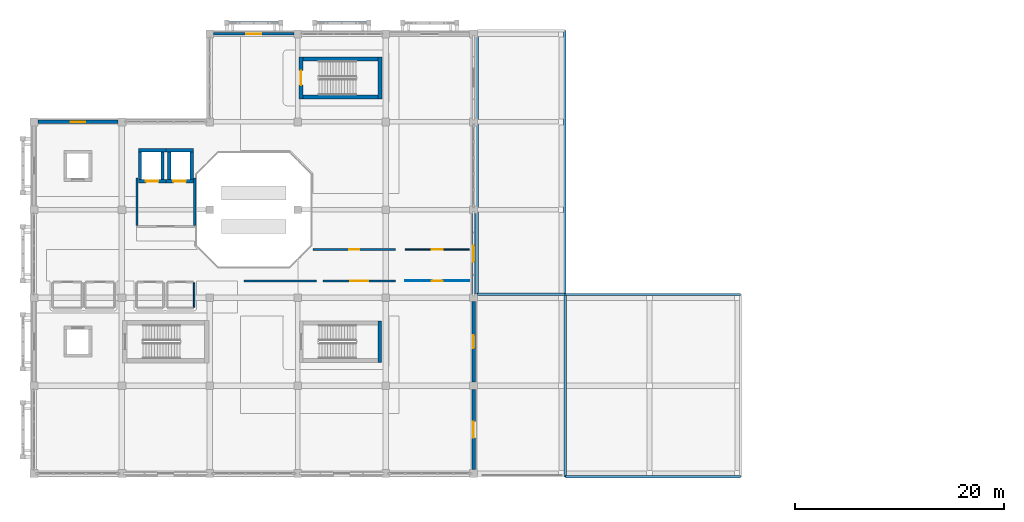
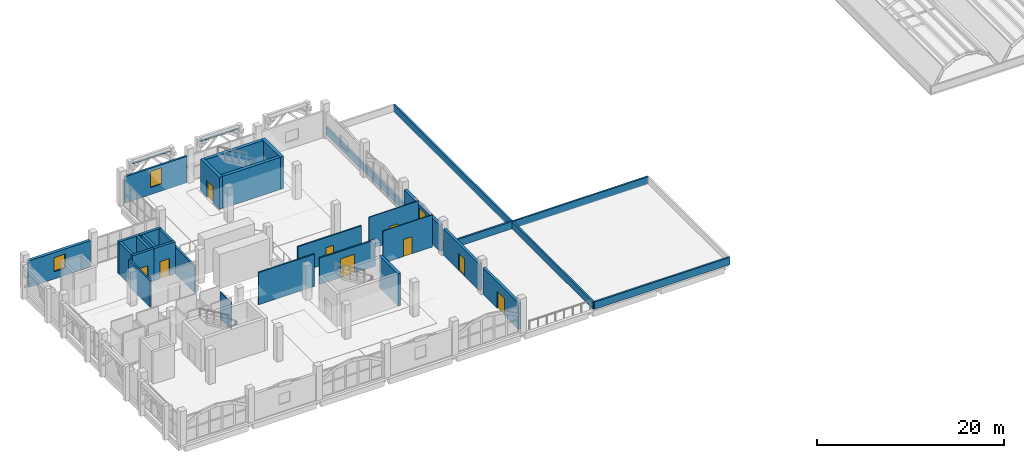
# One storey, part 27 of 34: 34 walls, 9 doors, 3 windows, 12 openings.
"""IFC4 building model written with IfcOpenShell, lengths in metres."""

from ifc_helpers import new_model, si_unit, direction, frame, frame_2d, origin, place, context, subcontext, project, spatial, rectangle, extrude, material, layer, layer_set, type_object, element, fill, save


model = new_model("IFC4")

# Units and contexts
model_context = context("Model", 3, precision=1e-05, world=origin(), true_north=direction((0.0, 1.0)))
body_context = subcontext(model_context, "Body", "Model", "MODEL_VIEW")
ifc_project = project(units=[si_unit("LENGTHUNIT", "METRE"), si_unit("AREAUNIT", "SQUARE_METRE"), si_unit("VOLUMEUNIT", "CUBIC_METRE"), si_unit("PLANEANGLEUNIT", "RADIAN"), si_unit("MASSUNIT", "GRAM", prefix="KILO")], contexts=[model_context])

# Site, building, storey
site_placement = place(None, origin())
site = spatial("IfcSite", under=ifc_project, at=site_placement, CompositionType="ELEMENT")
building_placement = place(site_placement, origin())
building = spatial("IfcBuilding", under=site, at=building_placement, Name="Xazarin Passage Department Store", CompositionType="ELEMENT")
storey_placement = place(building_placement, frame((0.0, 0.0, 18.89990234375)))
storey = spatial("IfcBuildingStorey", under=building, at=storey_placement, Name="L04", CompositionType="ELEMENT", Elevation=18.89990234375)

# Wall, opening, door
ifc_material_1 = material(Name="Buff Baku clay brick", Category="masonry")
ifc_layer_1 = layer(ifc_material_1, 0.169921875)
ifc_layer_set_1 = layer_set([ifc_layer_1], Name="Buff Baku clay brick")
wall_type_1 = type_object("IfcWallType", Name="ARC-W-CMP170", PredefinedType="PARTITIONING", material=ifc_layer_set_1)
wall_1_placement = place(storey_placement, frame((26.673583984375, 89.39990234375, 0.0), z_axis=(0.0, 0.0, 1.0), x_axis=(1.0, 0.0, 0.0)))
wall_1 = element("IfcWall", 1, at=wall_1_placement, inside=storey, type_object=wall_type_1, Name="L04 Caspian Carpet and Textile Salon Front Wall 0249", PredefinedType="PARTITIONING", context=body_context, shape_type="SweptSolid", body=[
    extrude(rectangle(XDim=7.8564453125, YDim=0.169921875, at=frame_2d((3.92822265625, 0.0))), origin(), (0.0, 0.0, 1.0), 3.4501953125),
])
opening_1_placement = place(wall_1_placement, frame((3.4482421875, 0.0, 0.0)))
opening_1 = element("IfcOpeningElement", 2, at=opening_1_placement, cuts=wall_1, Name="Opening ID11", PredefinedType="OPENING", context=body_context, shape_type="SweptSolid", body=[
    extrude(rectangle(XDim=0.9599609375, YDim=2.10009765625, at=frame_2d((0.47998046875, 1.050048828125))), frame((0.0, 0.094970703125, 0.0), z_axis=(0.0, -1.0, 0.0), x_axis=(1.0, 0.0, 0.0)), (0.0, 0.0, 1.0), 0.18994140625),
])
ifc_material_2 = material(Name="Timber acoustic leaf", Category="wood")
door_type_1 = type_object("IfcDoorType", Name="ARC-DR-ID11", OperationType="NOTDEFINED", PredefinedType="DOOR", material=ifc_material_2)
door_1_placement = place(opening_1_placement, origin())
door_1 = element("IfcDoor", 3, at=door_1_placement, inside=storey, type_object=door_type_1, Name="DR-INT-L04-0249", OperationType="SINGLE_SWING_LEFT", OverallHeight=2.10009765625, OverallWidth=0.9599609375, PredefinedType="DOOR", context=body_context, shape_type="SweptSolid", body=[
    extrude(rectangle(XDim=0.9599609375, YDim=2.10009765625, at=frame_2d((0.47998046875, 1.050048828125))), frame((0.0, 0.02490234375, 0.0), z_axis=(0.0, -1.0, 0.0), x_axis=(1.0, 0.0, 0.0)), (0.0, 0.0, 1.0), 0.050048828125),
])
fill(opening_1, door_1)

# Wall
ifc_layer_2 = layer(ifc_material_1, 0.18505859375)
ifc_layer_set_2 = layer_set([ifc_layer_2], Name="Buff Baku clay brick")
wall_type_2 = type_object("IfcWallType", Name="ARC-W-CMP185", PredefinedType="PARTITIONING", material=ifc_layer_set_2)
wall_2_placement = place(storey_placement, frame((20.070068359375, 86.39990234375, 0.0), z_axis=(0.0, 0.0, 1.0), x_axis=(1.0, 0.0, 0.0)))
element("IfcWall", 4, at=wall_2_placement, inside=storey, type_object=wall_type_2, Name="L04 Caspian Carpet and Textile Salon Front Wall 0247", PredefinedType="PARTITIONING", context=body_context, shape_type="SweptSolid", body=[
    extrude(rectangle(XDim=6.909912109375, YDim=0.18505859375, at=frame_2d((3.455078125, 0.0))), origin(), (0.0, 0.0, 1.0), 4.2001953125),
])

# Wall, opening, door
wall_3_placement = place(storey_placement, frame((27.6201171875, 86.39990234375, 0.0), z_axis=(0.0, 0.0, 1.0), x_axis=(1.0, 0.0, 0.0)))
wall_3 = element("IfcWall", 5, at=wall_3_placement, inside=storey, type_object=wall_type_2, Name="L04 Caspian Carpet and Textile Salon Front Wall 0248", PredefinedType="PARTITIONING", context=body_context, shape_type="SweptSolid", body=[
    extrude(rectangle(XDim=6.909912109375, YDim=0.18505859375, at=frame_2d((3.455078125, 0.0))), origin(), (0.0, 0.0, 1.0), 3.4501953125),
])
opening_2_placement = place(wall_3_placement, frame((2.594970703125, 0.0, 0.0)))
opening_2 = element("IfcOpeningElement", 6, at=opening_2_placement, cuts=wall_3, Name="Opening ID50", PredefinedType="OPENING", context=body_context, shape_type="SweptSolid", body=[
    extrude(rectangle(XDim=1.719970703125, YDim=2.4599609375, at=frame_2d((0.85986328125, 1.22998046875))), frame((0.0, 0.1025390625, 0.0), z_axis=(0.0, -1.0, 0.0), x_axis=(1.0, 0.0, 0.0)), (0.0, 0.0, 1.0), 0.205078125),
])
ifc_material_3 = material(Name="Bronze anodised aluminium", Category="aluminium")
door_type_2 = type_object("IfcDoorType", Name="ARC-DR-ID50", OperationType="NOTDEFINED", PredefinedType="DOOR", material=ifc_material_3)
door_2_placement = place(opening_2_placement, origin())
door_2 = element("IfcDoor", 7, at=door_2_placement, inside=storey, type_object=door_type_2, Name="DR-INT-L04-0248", OperationType="DOUBLE_DOOR_SINGLE_SWING", OverallHeight=2.4599609375, OverallWidth=1.719970703125, PredefinedType="DOOR", context=body_context, shape_type="SweptSolid", body=[
    extrude(rectangle(XDim=1.719970703125, YDim=2.4599609375, at=frame_2d((0.85986328125, 1.22998046875))), frame((0.0, 0.02490234375, 0.0), z_axis=(0.0, -1.0, 0.0), x_axis=(1.0, 0.0, 0.0)), (0.0, 0.0, 1.0), 0.050048828125),
])
fill(opening_2, door_2)

# Wall, opening, window
ifc_material_4 = material(Name="Precast concrete C40/50", Category="concrete")
ifc_layer_3 = layer(ifc_material_4, 0.239990234375)
ifc_layer_set_3 = layer_set([ifc_layer_3], Name="Precast concrete C40/50")
wall_type_3 = type_object("IfcWallType", Name="ARC-W-EXT240", PredefinedType="SOLIDWALL", material=ifc_layer_set_3)
wall_4_placement = place(storey_placement, frame((17.175048828125, 110.0, 0.0), z_axis=(0.0, 0.0, 1.0), x_axis=(1.0, 0.0, 0.0)))
wall_4 = element("IfcWall", 8, at=wall_4_placement, inside=storey, type_object=wall_type_3, Name="L04 V1 Exterior Wall 052", PredefinedType="SOLIDWALL", context=body_context, shape_type="SweptSolid", body=[
    extrude(rectangle(XDim=7.64990234375, YDim=0.239990234375, at=frame_2d((3.824951171875, 0.0))), origin(), (0.0, 0.0, 1.0), 3.4501953125),
])
opening_3_placement = place(wall_4_placement, frame((3.125, 0.0, 0.949951171875)))
opening_3 = element("IfcOpeningElement", 9, at=opening_3_placement, cuts=wall_4, Name="Opening W16", PredefinedType="OPENING", context=body_context, shape_type="SweptSolid", body=[
    extrude(rectangle(XDim=1.39990234375, YDim=2.10009765625, at=frame_2d((0.699951171875, 1.050048828125))), frame((0.0, 0.1298828125, 0.0), z_axis=(0.0, -1.0, 0.0), x_axis=(1.0, 0.0, 0.0)), (0.0, 0.0, 1.0), 0.260009765625),
])
ifc_material_5 = material(Name="Low-E laminated safety glass", Category="glass")
window_type_1 = type_object("IfcWindowType", Name="ARC-WIN-W16", PartitioningType="SINGLE_PANEL", PredefinedType="WINDOW", material=ifc_material_5)
window_1_placement = place(opening_3_placement, origin())
window_1 = element("IfcWindow", 10, at=window_1_placement, inside=storey, type_object=window_type_1, Name="L04 V1 Facade Window 0016", OverallHeight=2.10009765625, OverallWidth=1.39990234375, PartitioningType="SINGLE_PANEL", PredefinedType="WINDOW", context=body_context, shape_type="SweptSolid", body=[
    extrude(rectangle(XDim=1.39990234375, YDim=2.10009765625, at=frame_2d((0.699951171875, 1.050048828125))), frame((0.0, 0.030029296875, 0.0), z_axis=(0.0, -1.0, 0.0), x_axis=(1.0, 0.0, 0.0)), (0.0, 0.0, 1.0), 0.06005859375),
])
fill(opening_3, window_1)

# Wall, opening, door
ifc_layer_4 = layer(ifc_material_1, 0.320068359375)
ifc_layer_set_4 = layer_set([ifc_layer_4], Name="Buff Baku clay brick")
wall_type_4 = type_object("IfcWallType", Name="ARC-W-EXT320", PredefinedType="SOLIDWALL", material=ifc_layer_set_4)
wall_5_placement = place(storey_placement, frame((42.0, 68.375, 0.0), z_axis=(0.0, 0.0, 1.0), x_axis=(0.0, 1.0, 0.0)))
wall_5 = element("IfcWall", 11, at=wall_5_placement, inside=storey, type_object=wall_type_4, Name="L04 V1 Exterior Wall 056", PredefinedType="SOLIDWALL", context=body_context, shape_type="SweptSolid", body=[
    extrude(rectangle(XDim=7.64990234375, YDim=0.320068359375, at=frame_2d((3.824951171875, 0.0))), origin(), (0.0, 0.0, 1.0), 3.4501953125),
])
opening_4_placement = place(wall_5_placement, frame((3.050048828125, 0.0, 0.0)))
opening_4 = element("IfcOpeningElement", 12, at=opening_4_placement, cuts=wall_5, Name="Opening TD2", PredefinedType="OPENING", context=body_context, shape_type="SweptSolid", body=[
    extrude(rectangle(XDim=1.550048828125, YDim=2.25, at=frame_2d((0.77490234375, 1.125))), frame((0.0, 0.169921875, 0.0), z_axis=(0.0, -1.0, 0.0), x_axis=(1.0, 0.0, 0.0)), (0.0, 0.0, 1.0), 0.340087890625),
])
door_type_3 = type_object("IfcDoorType", Name="ARC-DR-TER155", OperationType="NOTDEFINED", PredefinedType="DOOR", material=ifc_material_3)
door_3_placement = place(opening_4_placement, origin())
door_3 = element("IfcDoor", 13, at=door_3_placement, inside=storey, type_object=door_type_3, Name="DR-TER-L04-008", OperationType="SINGLE_SWING_LEFT", OverallHeight=2.25, OverallWidth=1.550048828125, PredefinedType="DOOR", context=body_context, shape_type="SweptSolid", body=[
    extrude(rectangle(XDim=1.550048828125, YDim=2.25, at=frame_2d((0.77490234375, 1.125))), frame((0.0, 0.02490234375, 0.0), z_axis=(0.0, -1.0, 0.0), x_axis=(1.0, 0.0, 0.0)), (0.0, 0.0, 1.0), 0.050048828125),
])
fill(opening_4, door_3)

ifc_material_6 = material(Name="Absheron limestone cladding", Category="masonry")
ifc_layer_5 = layer(ifc_material_6, 0.340087890625)
ifc_layer_set_5 = layer_set([ifc_layer_5], Name="Absheron limestone cladding")
wall_type_5 = type_object("IfcWallType", Name="ARC-W-EXT340", PredefinedType="SOLIDWALL", material=ifc_layer_set_5)
wall_6_placement = place(storey_placement, frame((42.0, 76.77490234375, 0.0), z_axis=(0.0, 0.0, 1.0), x_axis=(0.0, 1.0, 0.0)))
wall_6 = element("IfcWall", 14, at=wall_6_placement, inside=storey, type_object=wall_type_5, Name="L04 V1 Exterior Wall 057", PredefinedType="SOLIDWALL", context=body_context, shape_type="SweptSolid", body=[
    extrude(rectangle(XDim=7.650146484375, YDim=0.340087890625, at=frame_2d((3.8251953125, 0.0))), origin(), (0.0, 0.0, 1.0), 3.4501953125),
])
opening_5_placement = place(wall_6_placement, frame((3.199951171875, 0.0, 0.0)))
opening_5 = element("IfcOpeningElement", 15, at=opening_5_placement, cuts=wall_6, Name="Opening TD3", PredefinedType="OPENING", context=body_context, shape_type="SweptSolid", body=[
    extrude(rectangle(XDim=1.25, YDim=2.199951171875, at=frame_2d((0.625, 1.10009765625))), frame((0.0, 0.179931640625, 0.0), z_axis=(0.0, -1.0, 0.0), x_axis=(1.0, 0.0, 0.0)), (0.0, 0.0, 1.0), 0.360107421875),
])
door_type_4 = type_object("IfcDoorType", Name="ARC-DR-TER125", OperationType="NOTDEFINED", PredefinedType="DOOR", material=ifc_material_3)
door_4_placement = place(opening_5_placement, origin())
door_4 = element("IfcDoor", 16, at=door_4_placement, inside=storey, type_object=door_type_4, Name="DR-TER-L04-009", OperationType="SINGLE_SWING_RIGHT", OverallHeight=2.199951171875, OverallWidth=1.25, PredefinedType="DOOR", context=body_context, shape_type="SweptSolid", body=[
    extrude(rectangle(XDim=1.25, YDim=2.199951171875, at=frame_2d((0.625, 1.10009765625))), frame((0.0, 0.02490234375, 0.0), z_axis=(0.0, -1.0, 0.0), x_axis=(1.0, 0.0, 0.0)), (0.0, 0.0, 1.0), 0.050048828125),
])
fill(opening_5, door_4)

# Wall, opening, window
ifc_layer_6 = layer(ifc_material_6, 0.360107421875)
ifc_layer_set_6 = layer_set([ifc_layer_6], Name="Absheron limestone cladding")
wall_type_6 = type_object("IfcWallType", Name="ARC-W-EXT360", PredefinedType="SOLIDWALL", material=ifc_layer_set_6)
wall_7_placement = place(storey_placement, frame((0.375, 101.60009765625, 0.0), z_axis=(0.0, 0.0, 1.0), x_axis=(1.0, 0.0, 0.0)))
wall_7 = element("IfcWall", 17, at=wall_7_placement, inside=storey, type_object=wall_type_6, Name="L04 V1 Exterior Wall 051", PredefinedType="SOLIDWALL", context=body_context, shape_type="SweptSolid", body=[
    extrude(rectangle(XDim=7.64990234375, YDim=0.360107421875, at=frame_2d((3.824951171875, 0.0))), origin(), (0.0, 0.0, 1.0), 3.4501953125),
])
opening_6_placement = place(wall_7_placement, frame((3.125, 0.0, 0.949951171875)))
opening_6 = element("IfcOpeningElement", 18, at=opening_6_placement, cuts=wall_7, Name="Opening W15", PredefinedType="OPENING", context=body_context, shape_type="SweptSolid", body=[
    extrude(rectangle(XDim=1.39990234375, YDim=1.85009765625, at=frame_2d((0.699951171875, 0.925048828125))), frame((0.0, 0.18994140625, 0.0), z_axis=(0.0, -1.0, 0.0), x_axis=(1.0, 0.0, 0.0)), (0.0, 0.0, 1.0), 0.380126953125),
])
window_type_2 = type_object("IfcWindowType", Name="ARC-WIN-W15", PartitioningType="SINGLE_PANEL", PredefinedType="WINDOW", material=ifc_material_5)
window_2_placement = place(opening_6_placement, origin())
window_2 = element("IfcWindow", 19, at=window_2_placement, inside=storey, type_object=window_type_2, Name="L04 V1 Facade Window 0015", OverallHeight=1.85009765625, OverallWidth=1.39990234375, PartitioningType="SINGLE_PANEL", PredefinedType="WINDOW", context=body_context, shape_type="SweptSolid", body=[
    extrude(rectangle(XDim=1.39990234375, YDim=1.85009765625, at=frame_2d((0.699951171875, 0.925048828125))), frame((0.0, 0.030029296875, 0.0), z_axis=(0.0, -1.0, 0.0), x_axis=(1.0, 0.0, 0.0)), (0.0, 0.0, 1.0), 0.06005859375),
])
fill(opening_6, window_2)

wall_8_placement = place(storey_placement, frame((42.0, 85.175048828125, 0.0), z_axis=(0.0, 0.0, 1.0), x_axis=(0.0, 1.0, 0.0)))
wall_8 = element("IfcWall", 20, at=wall_8_placement, inside=storey, type_object=wall_type_6, Name="L04 V1 Exterior Wall 058", PredefinedType="SOLIDWALL", context=body_context, shape_type="SweptSolid", body=[
    extrude(rectangle(XDim=7.64990234375, YDim=0.360107421875, at=frame_2d((3.824951171875, 0.0))), origin(), (0.0, 0.0, 1.0), 3.4501953125),
])
opening_7_placement = place(wall_8_placement, frame((3.050048828125, 0.0, 0.949951171875)))
opening_7 = element("IfcOpeningElement", 21, at=opening_7_placement, cuts=wall_8, Name="Opening W20", PredefinedType="OPENING", context=body_context, shape_type="SweptSolid", body=[
    extrude(rectangle(XDim=1.550048828125, YDim=2.10009765625, at=frame_2d((0.77490234375, 1.050048828125))), frame((0.0, 0.18994140625, 0.0), z_axis=(0.0, -1.0, 0.0), x_axis=(1.0, 0.0, 0.0)), (0.0, 0.0, 1.0), 0.380126953125),
])
window_type_3 = type_object("IfcWindowType", Name="ARC-WIN-W20", PartitioningType="SINGLE_PANEL", PredefinedType="WINDOW", material=ifc_material_5)
window_3_placement = place(opening_7_placement, origin())
window_3 = element("IfcWindow", 22, at=window_3_placement, inside=storey, type_object=window_type_3, Name="L04 V1 Facade Window 0020", OverallHeight=2.10009765625, OverallWidth=1.550048828125, PartitioningType="SINGLE_PANEL", PredefinedType="WINDOW", context=body_context, shape_type="SweptSolid", body=[
    extrude(rectangle(XDim=1.550048828125, YDim=2.10009765625, at=frame_2d((0.77490234375, 1.050048828125))), frame((0.0, 0.030029296875, 0.0), z_axis=(0.0, -1.0, 0.0), x_axis=(1.0, 0.0, 0.0)), (0.0, 0.0, 1.0), 0.06005859375),
])
fill(opening_7, window_3)

# Walls
ifc_material_7 = material(Name="Concrete C35/45", Category="concrete")
ifc_layer_7 = layer(ifc_material_7, 0.22509765625)
ifc_layer_set_7 = layer_set([ifc_layer_7], Name="Concrete C35/45")
wall_type_7 = type_object("IfcWallType", Name="ARC-W-FIR225", PredefinedType="PARTITIONING", material=ifc_layer_set_7)
for number, where, z_axis, x_axis, name in (
    (23, (9.85009765625, 91.7099609375, 0.0), (0.0, 0.0, 1.0), (0.0, 1.0, 0.0), "L04 Firefighting Lift Lobby West Wall 0017"),
    (24, (15.35009765625, 91.7099609375, 0.0), (0.0, 0.0, 1.0), (0.0, 1.0, 0.0), "L04 Firefighting Lift Lobby East Wall 0018"),
):
    element("IfcWall", number, at=place(storey_placement, frame(where, z_axis=z_axis, x_axis=x_axis)), inside=storey, type_object=wall_type_7, Name=name, PredefinedType="PARTITIONING", context=body_context, shape_type="SweptSolid", body=[
        extrude(rectangle(XDim=4.530029296875, YDim=0.22509765625, at=frame_2d((2.26513671875, 0.0))), origin(), (0.0, 0.0, 1.0), 3.5),
    ])
ifc_layer_8 = layer(ifc_material_4, 0.18994140625)
ifc_layer_set_8 = layer_set([ifc_layer_8], Name="Precast concrete C40/50")
wall_type_8 = type_object("IfcWallType", Name="ARC-W-PAR190", PredefinedType="PARAPET", material=ifc_layer_set_8)
wall_9_placement = place(storey_placement, frame((18.669921875, 111.050048828125, 3.880126953125), z_axis=(0.0, 0.0, 1.0), x_axis=(1.0, 0.0, 0.0)))
element("IfcWall", 25, at=wall_9_placement, inside=storey, type_object=wall_type_8, Name="L04 V1 Pierced-Arch Spandrel Lintel 0005", PredefinedType="PARAPET", context=body_context, shape_type="SweptSolid", body=[
    extrude(rectangle(XDim=4.66015625, YDim=0.18994140625, at=frame_2d((2.330078125, 0.0))), origin(), (0.0, 0.0, 1.0), 0.119873046875),
])
wall_10_placement = place(storey_placement, frame((27.070068359375, 111.050048828125, 3.880126953125), z_axis=(0.0, 0.0, 1.0), x_axis=(1.0, 0.0, 0.0)))
element("IfcWall", 26, at=wall_10_placement, inside=storey, type_object=wall_type_8, Name="L04 V1 Pierced-Arch Spandrel Lintel 0013", PredefinedType="PARAPET", context=body_context, shape_type="SweptSolid", body=[
    extrude(rectangle(XDim=4.659912109375, YDim=0.18994140625, at=frame_2d((2.330078125, 0.0))), origin(), (0.0, 0.0, 1.0), 0.119873046875),
])
ifc_layer_9 = layer(ifc_material_4, 0.2099609375)
ifc_layer_set_9 = layer_set([ifc_layer_9], Name="Precast concrete C40/50")
wall_type_9 = type_object("IfcWallType", Name="ARC-W-PAR210", PredefinedType="PARAPET", material=ifc_layer_set_9)
wall_11_placement = place(storey_placement, frame((67.5, 85.10009765625, 0.0), z_axis=(0.0, 0.0, 1.0), x_axis=(-1.0, 0.0, 0.0)))
element("IfcWall", 27, at=wall_11_placement, inside=storey, type_object=wall_type_9, Name="L04 Roof Parapet 018", PredefinedType="PARAPET", context=body_context, shape_type="SweptSolid", body=[
    extrude(rectangle(XDim=16.75, YDim=0.2099609375, at=frame_2d((8.375, 0.0))), origin(), (0.0, 0.0, 1.0), 0.9501953125),
])
wall_12_placement = place(storey_placement, frame((50.75, 85.10009765625, 0.0), z_axis=(0.0, 0.0, 1.0), x_axis=(0.0, -1.0, 0.0)))
element("IfcWall", 28, at=wall_12_placement, inside=storey, type_object=wall_type_9, Name="L04 Roof Parapet 019", PredefinedType="PARAPET", context=body_context, shape_type="SweptSolid", body=[
    extrude(rectangle(XDim=17.400146484375, YDim=0.2099609375, at=frame_2d((8.7001953125, 0.0))), origin(), (0.0, 0.0, 1.0), 0.9501953125),
])
wall_13_placement = place(storey_placement, frame((50.75, 67.699951171875, 0.0), z_axis=(0.0, 0.0, 1.0), x_axis=(1.0, 0.0, 0.0)))
element("IfcWall", 29, at=wall_13_placement, inside=storey, type_object=wall_type_9, Name="L04 Roof Parapet 020", PredefinedType="PARAPET", context=body_context, shape_type="SweptSolid", body=[
    extrude(rectangle(XDim=16.75, YDim=0.2099609375, at=frame_2d((8.375, 0.0))), origin(), (0.0, 0.0, 1.0), 0.9501953125),
])
ifc_layer_10 = layer(ifc_material_4, 0.22998046875)
ifc_layer_set_10 = layer_set([ifc_layer_10], Name="Precast concrete C40/50")
wall_type_10 = type_object("IfcWallType", Name="ARC-W-PAR230", PredefinedType="PARAPET", material=ifc_layer_set_10)
wall_14_placement = place(storey_placement, frame((42.35009765625, 110.300048828125, 0.0), z_axis=(0.0, 0.0, 1.0), x_axis=(0.0, -1.0, 0.0)))
element("IfcWall", 30, at=wall_14_placement, inside=storey, type_object=wall_type_10, Name="L04 Roof Parapet 021", PredefinedType="PARAPET", context=body_context, shape_type="SweptSolid", body=[
    extrude(rectangle(XDim=25.150146484375, YDim=0.22998046875, at=frame_2d((12.5751953125, 0.0))), origin(), (0.0, 0.0, 1.0), 0.9501953125),
])
wall_15_placement = place(storey_placement, frame((42.35009765625, 85.14990234375, 0.0), z_axis=(0.0, 0.0, 1.0), x_axis=(1.0, 0.0, 0.0)))
element("IfcWall", 31, at=wall_15_placement, inside=storey, type_object=wall_type_10, Name="L04 Roof Parapet 022", PredefinedType="PARAPET", context=body_context, shape_type="SweptSolid", body=[
    extrude(rectangle(XDim=8.349853515625, YDim=0.22998046875, at=frame_2d((4.1748046875, 0.0))), origin(), (0.0, 0.0, 1.0), 0.9501953125),
])
wall_16_placement = place(storey_placement, frame((50.699951171875, 85.14990234375, 0.0), z_axis=(0.0, 0.0, 1.0), x_axis=(0.0, 1.0, 0.0)))
element("IfcWall", 32, at=wall_16_placement, inside=storey, type_object=wall_type_10, Name="L04 Roof Parapet 023", PredefinedType="PARAPET", context=body_context, shape_type="SweptSolid", body=[
    extrude(rectangle(XDim=25.150146484375, YDim=0.22998046875, at=frame_2d((12.5751953125, 0.0))), origin(), (0.0, 0.0, 1.0), 0.9501953125),
])

# Wall, opening, door
ifc_material_8 = material(Name="Gypsum board acoustic partition")
ifc_layer_11 = layer(ifc_material_8, 0.094970703125)
ifc_layer_set_11 = layer_set([ifc_layer_11], Name="Gypsum board acoustic partition")
wall_type_11 = type_object("IfcWallType", Name="ARC-W-PRT095", PredefinedType="PARTITIONING", material=ifc_layer_set_11)
wall_17_placement = place(storey_placement, frame((35.469970703125, 86.39990234375, 0.0), z_axis=(0.0, 0.0, 1.0), x_axis=(1.0, 0.0, 0.0)))
wall_17 = element("IfcWall", 33, at=wall_17_placement, inside=storey, type_object=wall_type_11, Name="L04 Homeware Showroom Front Wall 0251", PredefinedType="PARTITIONING", context=body_context, shape_type="SweptSolid", body=[
    extrude(rectangle(XDim=6.110107421875, YDim=0.094970703125, at=frame_2d((3.05517578125, 0.0))), origin(), (0.0, 0.0, 1.0), 4.2001953125),
])
opening_8_placement = place(wall_17_placement, frame((2.534912109375, 0.0, 0.0)))
opening_8 = element("IfcOpeningElement", 34, at=opening_8_placement, cuts=wall_17, Name="Opening ID16", PredefinedType="OPENING", context=body_context, shape_type="SweptSolid", body=[
    extrude(rectangle(XDim=1.0400390625, YDim=2.219970703125, at=frame_2d((0.52001953125, 1.10986328125))), frame((0.0, 0.057373046875, 0.0), z_axis=(0.0, -1.0, 0.0), x_axis=(1.0, 0.0, 0.0)), (0.0, 0.0, 1.0), 0.114990234375),
])
door_type_5 = type_object("IfcDoorType", Name="ARC-DR-ID16", OperationType="NOTDEFINED", PredefinedType="DOOR", material=ifc_material_2)
door_5_placement = place(opening_8_placement, origin())
door_5 = element("IfcDoor", 35, at=door_5_placement, inside=storey, type_object=door_type_5, Name="DR-INT-L04-0251", OperationType="SINGLE_SWING_LEFT", OverallHeight=2.219970703125, OverallWidth=1.0400390625, PredefinedType="DOOR", context=body_context, shape_type="SweptSolid", body=[
    extrude(rectangle(XDim=1.0400390625, YDim=2.219970703125, at=frame_2d((0.52001953125, 1.10986328125))), frame((0.0, 0.02490234375, 0.0), z_axis=(0.0, -1.0, 0.0), x_axis=(1.0, 0.0, 0.0)), (0.0, 0.0, 1.0), 0.050048828125),
])
fill(opening_8, door_5)

ifc_layer_12 = layer(ifc_material_8, 0.110107421875)
ifc_layer_set_12 = layer_set([ifc_layer_12], Name="Gypsum board acoustic partition")
wall_type_12 = type_object("IfcWallType", Name="ARC-W-PRT110", PredefinedType="PARTITIONING", material=ifc_layer_set_12)
wall_18_placement = place(storey_placement, frame((35.469970703125, 89.39990234375, 0.0), z_axis=(0.0, 0.0, 1.0), x_axis=(1.0, 0.0, 0.0)))
wall_18 = element("IfcWall", 36, at=wall_18_placement, inside=storey, type_object=wall_type_12, Name="L04 Homeware Showroom Front Wall 0250", PredefinedType="PARTITIONING", context=body_context, shape_type="SweptSolid", body=[
    extrude(rectangle(XDim=6.110107421875, YDim=0.110107421875, at=frame_2d((3.05517578125, 0.0))), origin(), (0.0, 0.0, 1.0), 4.2001953125),
])
opening_9_placement = place(wall_18_placement, frame((2.534912109375, 0.0, 0.0)))
opening_9 = element("IfcOpeningElement", 37, at=opening_9_placement, cuts=wall_18, Name="Opening ID15", PredefinedType="OPENING", context=body_context, shape_type="SweptSolid", body=[
    extrude(rectangle(XDim=1.0400390625, YDim=2.10009765625, at=frame_2d((0.52001953125, 1.050048828125))), frame((0.0, 0.06494140625, 0.0), z_axis=(0.0, -1.0, 0.0), x_axis=(1.0, 0.0, 0.0)), (0.0, 0.0, 1.0), 0.130126953125),
])
door_type_6 = type_object("IfcDoorType", Name="ARC-DR-ID15", OperationType="NOTDEFINED", PredefinedType="DOOR", material=ifc_material_2)
door_6_placement = place(opening_9_placement, origin())
door_6 = element("IfcDoor", 38, at=door_6_placement, inside=storey, type_object=door_type_6, Name="DR-INT-L04-0250", OperationType="SINGLE_SWING_RIGHT", OverallHeight=2.10009765625, OverallWidth=1.0400390625, PredefinedType="DOOR", context=body_context, shape_type="SweptSolid", body=[
    extrude(rectangle(XDim=1.0400390625, YDim=2.10009765625, at=frame_2d((0.52001953125, 1.050048828125))), frame((0.0, 0.02490234375, 0.0), z_axis=(0.0, -1.0, 0.0), x_axis=(1.0, 0.0, 0.0)), (0.0, 0.0, 1.0), 0.050048828125),
])
fill(opening_9, door_6)

# Wall
ifc_material_9 = material(Name="Moisture-resistant masonry partition", Category="masonry")
ifc_layer_13 = layer(ifc_material_9, 0.139892578125)
ifc_layer_set_13 = layer_set([ifc_layer_13], Name="Moisture-resistant masonry partition")
wall_type_13 = type_object("IfcWallType", Name="ARC-W-PRT140", PredefinedType="PARTITIONING", material=ifc_layer_set_13)
wall_19_placement = place(storey_placement, frame((15.300048828125, 83.8701171875, 0.0), z_axis=(0.0, 0.0, 1.0), x_axis=(0.0, 1.0, 0.0)))
element("IfcWall", 39, at=wall_19_placement, inside=storey, type_object=wall_type_13, Name="L04 Staff WC Side Wall 0246", PredefinedType="PARTITIONING", context=body_context, shape_type="SweptSolid", body=[
    extrude(rectangle(XDim=2.35986328125, YDim=0.139892578125, at=frame_2d((1.179931640625, 0.0))), origin(), (0.0, 0.0, 1.0), 3.4501953125),
])

# Wall, opening, door
ifc_material_10 = material(Name="Concrete C40/50", Category="concrete")
ifc_layer_14 = layer(ifc_material_10, 0.31005859375)
ifc_layer_set_14 = layer_set([ifc_layer_14], Name="Concrete C40/50")
wall_type_14 = type_object("IfcWallType", Name="STR-W-LFT310", PredefinedType="SHEAR", material=ifc_layer_set_14)
wall_20_placement = place(storey_placement, frame((9.969970703125, 95.925048828125, 0.0), z_axis=(0.0, 0.0, 1.0), x_axis=(1.0, 0.0, 0.0)))
wall_20 = element("IfcWall", 40, at=wall_20_placement, inside=storey, type_object=wall_type_14, Name="L04 Lift FL1 Shaft Wall South", PredefinedType="SHEAR", context=body_context, shape_type="SweptSolid", body=[
    extrude(rectangle(XDim=2.630126953125, YDim=0.31005859375, at=frame_2d((1.31494140625, 0.0))), origin(), (0.0, 0.0, 1.0), 4.2001953125),
])
opening_10_placement = place(wall_20_placement, frame((0.715087890625, 0.0, 0.0)))
opening_10 = element("IfcOpeningElement", 41, at=opening_10_placement, cuts=wall_20, Name="Opening LD-FL1-L04", PredefinedType="OPENING", context=body_context, shape_type="SweptSolid", body=[
    extrude(rectangle(XDim=1.199951171875, YDim=2.25, at=frame_2d((0.60009765625, 1.125))), frame((0.0, 0.1650390625, 0.0), z_axis=(0.0, -1.0, 0.0), x_axis=(1.0, 0.0, 0.0)), (0.0, 0.0, 1.0), 0.330078125),
])
ifc_material_11 = material(Name="Steel S355", Category="steel")
door_type_7 = type_object("IfcDoorType", Name="ARC-DR-LD120", OperationType="NOTDEFINED", PredefinedType="DOOR", material=ifc_material_11)
door_7_placement = place(opening_10_placement, origin())
door_7 = element("IfcDoor", 42, at=door_7_placement, inside=storey, type_object=door_type_7, Name="DR-LD-FL1-L04", OperationType="SLIDING_TO_LEFT", OverallHeight=2.25, OverallWidth=1.199951171875, PredefinedType="DOOR", context=body_context, shape_type="SweptSolid", body=[
    extrude(rectangle(XDim=1.199951171875, YDim=2.25, at=frame_2d((0.60009765625, 1.125))), frame((0.0, 0.02490234375, 0.0), z_axis=(0.0, -1.0, 0.0), x_axis=(1.0, 0.0, 0.0)), (0.0, 0.0, 1.0), 0.050048828125),
])
fill(opening_10, door_7)

# Walls
wall_21_placement = place(storey_placement, frame((9.969970703125, 98.875, 0.0), z_axis=(0.0, 0.0, 1.0), x_axis=(1.0, 0.0, 0.0)))
element("IfcWall", 43, at=wall_21_placement, inside=storey, type_object=wall_type_14, Name="L04 Lift FL1 Shaft Wall North", PredefinedType="SHEAR", context=body_context, shape_type="SweptSolid", body=[
    extrude(rectangle(XDim=2.630126953125, YDim=0.31005859375, at=frame_2d((1.31494140625, 0.0))), origin(), (0.0, 0.0, 1.0), 4.2001953125),
])
for number, where, z_axis, x_axis, name in (
    (44, (10.125, 96.080078125, 0.0), (0.0, 0.0, 1.0), (0.0, 1.0, 0.0), "L04 Lift FL1 Shaft Wall West"),
    (45, (12.27490234375, 96.080078125, 0.0), (0.0, 0.0, 1.0), (0.0, 1.0, 0.0), "L04 Lift FL1 Shaft Wall East"),
):
    element("IfcWall", number, at=place(storey_placement, frame(where, z_axis=z_axis, x_axis=x_axis)), inside=storey, type_object=wall_type_14, Name=name, PredefinedType="SHEAR", context=body_context, shape_type="SweptSolid", body=[
        extrude(rectangle(XDim=2.639892578125, YDim=0.31005859375, at=frame_2d((1.31982421875, 0.0))), origin(), (0.0, 0.0, 1.0), 4.2001953125),
    ])

# Wall, opening, door
wall_22_placement = place(storey_placement, frame((12.60009765625, 95.925048828125, 0.0), z_axis=(0.0, 0.0, 1.0), x_axis=(1.0, 0.0, 0.0)))
wall_22 = element("IfcWall", 46, at=wall_22_placement, inside=storey, type_object=wall_type_14, Name="L04 Lift FL2 Shaft Wall South", PredefinedType="SHEAR", context=body_context, shape_type="SweptSolid", body=[
    extrude(rectangle(XDim=2.6298828125, YDim=0.31005859375, at=frame_2d((1.31494140625, 0.0))), origin(), (0.0, 0.0, 1.0), 4.2001953125),
])
opening_11_placement = place(wall_22_placement, frame((0.715087890625, 0.0, 0.0)))
opening_11 = element("IfcOpeningElement", 47, at=opening_11_placement, cuts=wall_22, Name="Opening LD-FL2-L04", PredefinedType="OPENING", context=body_context, shape_type="SweptSolid", body=[
    extrude(rectangle(XDim=1.199951171875, YDim=2.25, at=frame_2d((0.60009765625, 1.125))), frame((0.0, 0.1650390625, 0.0), z_axis=(0.0, -1.0, 0.0), x_axis=(1.0, 0.0, 0.0)), (0.0, 0.0, 1.0), 0.330078125),
])
door_8_placement = place(opening_11_placement, origin())
door_8 = element("IfcDoor", 48, at=door_8_placement, inside=storey, type_object=door_type_7, Name="DR-LD-FL2-L04", OperationType="SLIDING_TO_LEFT", OverallHeight=2.25, OverallWidth=1.199951171875, PredefinedType="DOOR", context=body_context, shape_type="SweptSolid", body=[
    extrude(rectangle(XDim=1.199951171875, YDim=2.25, at=frame_2d((0.60009765625, 1.125))), frame((0.0, 0.02490234375, 0.0), z_axis=(0.0, -1.0, 0.0), x_axis=(1.0, 0.0, 0.0)), (0.0, 0.0, 1.0), 0.050048828125),
])
fill(opening_11, door_8)

# Walls
wall_23_placement = place(storey_placement, frame((12.60009765625, 98.875, 0.0), z_axis=(0.0, 0.0, 1.0), x_axis=(1.0, 0.0, 0.0)))
element("IfcWall", 49, at=wall_23_placement, inside=storey, type_object=wall_type_14, Name="L04 Lift FL2 Shaft Wall North", PredefinedType="SHEAR", context=body_context, shape_type="SweptSolid", body=[
    extrude(rectangle(XDim=2.6298828125, YDim=0.31005859375, at=frame_2d((1.31494140625, 0.0))), origin(), (0.0, 0.0, 1.0), 4.2001953125),
])
for number, where, z_axis, x_axis, name in (
    (50, (12.925048828125, 96.080078125, 0.0), (0.0, 0.0, 1.0), (0.0, 1.0, 0.0), "L04 Lift FL2 Shaft Wall West"),
    (51, (15.074951171875, 96.080078125, 0.0), (0.0, 0.0, 1.0), (0.0, 1.0, 0.0), "L04 Lift FL2 Shaft Wall East"),
):
    element("IfcWall", number, at=place(storey_placement, frame(where, z_axis=z_axis, x_axis=x_axis)), inside=storey, type_object=wall_type_14, Name=name, PredefinedType="SHEAR", context=body_context, shape_type="SweptSolid", body=[
        extrude(rectangle(XDim=2.639892578125, YDim=0.31005859375, at=frame_2d((1.31982421875, 0.0))), origin(), (0.0, 0.0, 1.0), 4.2001953125),
    ])
ifc_layer_15 = layer(ifc_material_10, 0.35009765625)
ifc_layer_set_15 = layer_set([ifc_layer_15], Name="Concrete C40/50")
wall_type_15 = type_object("IfcWallType", Name="STR-W-SHR350", PredefinedType="SHEAR", material=ifc_layer_set_15)
wall_24_placement = place(storey_placement, frame((33.02490234375, 78.6298828125, 0.0), z_axis=(0.0, 0.0, 1.0), x_axis=(0.0, 1.0, 0.0)))
element("IfcWall", 52, at=wall_24_placement, inside=storey, type_object=wall_type_15, Name="L04 Core K3 East Shear Wall", PredefinedType="SHEAR", context=body_context, shape_type="SweptSolid", body=[
    extrude(rectangle(XDim=3.940185546875, YDim=0.35009765625, at=frame_2d((1.97021484375, 0.0))), origin(), (0.0, 0.0, 1.0), 4.2001953125),
])

# Wall, opening, door
ifc_layer_16 = layer(ifc_material_10, 0.389892578125)
ifc_layer_set_16 = layer_set([ifc_layer_16], Name="Concrete C40/50")
wall_type_16 = type_object("IfcWallType", Name="STR-W-SHR390", PredefinedType="SHEAR", material=ifc_layer_set_16)
wall_25_placement = place(storey_placement, frame((25.5048828125, 107.81005859375, 0.0), z_axis=(0.0, 0.0, 1.0), x_axis=(0.0, -1.0, 0.0)))
wall_25 = element("IfcWall", 53, at=wall_25_placement, inside=storey, type_object=wall_type_16, Name="L04 Core K2 West Shear Wall", PredefinedType="SHEAR", context=body_context, shape_type="SweptSolid", body=[
    extrude(rectangle(XDim=4.02001953125, YDim=0.389892578125, at=frame_2d((2.010009765625, 0.0))), origin(), (0.0, 0.0, 1.0), 4.2001953125),
])
opening_12_placement = place(wall_25_placement, frame((1.31005859375, 0.0, 0.0)))
opening_12 = element("IfcOpeningElement", 54, at=opening_12_placement, cuts=wall_25, Name="Opening FD2", PredefinedType="OPENING", context=body_context, shape_type="SweptSolid", body=[
    extrude(rectangle(XDim=1.39990234375, YDim=2.14990234375, at=frame_2d((0.699951171875, 1.074951171875))), frame((0.0, 0.204833984375, 0.0), z_axis=(0.0, -1.0, 0.0), x_axis=(1.0, 0.0, 0.0)), (0.0, 0.0, 1.0), 0.409912109375),
])
door_type_8 = type_object("IfcDoorType", Name="ARC-DR-STR140", OperationType="NOTDEFINED", PredefinedType="DOOR", material=ifc_material_11)
door_9_placement = place(opening_12_placement, origin())
door_9 = element("IfcDoor", 55, at=door_9_placement, inside=storey, type_object=door_type_8, Name="DR-STR-K2-L04", OperationType="SINGLE_SWING_RIGHT", OverallHeight=2.14990234375, OverallWidth=1.39990234375, PredefinedType="DOOR", context=body_context, shape_type="SweptSolid", body=[
    extrude(rectangle(XDim=1.39990234375, YDim=2.14990234375, at=frame_2d((0.699951171875, 1.074951171875))), frame((0.0, 0.02490234375, 0.0), z_axis=(0.0, -1.0, 0.0), x_axis=(1.0, 0.0, 0.0)), (0.0, 0.0, 1.0), 0.050048828125),
])
fill(opening_12, door_9)

# Walls
wall_26_placement = place(storey_placement, frame((33.044921875, 103.7900390625, 0.0), z_axis=(0.0, 0.0, 1.0), x_axis=(0.0, 1.0, 0.0)))
element("IfcWall", 56, at=wall_26_placement, inside=storey, type_object=wall_type_16, Name="L04 Core K2 East Shear Wall", PredefinedType="SHEAR", context=body_context, shape_type="SweptSolid", body=[
    extrude(rectangle(XDim=4.02001953125, YDim=0.389892578125, at=frame_2d((2.010009765625, 0.0))), origin(), (0.0, 0.0, 1.0), 4.2001953125),
])
for number, where, z_axis, x_axis, name in (
    (57, (25.699951171875, 103.985107421875, 0.0), (0.0, 0.0, 1.0), (1.0, 0.0, 0.0), "L04 Core K2 South Shear Wall"),
    (58, (25.699951171875, 107.614990234375, 0.0), (0.0, 0.0, 1.0), (1.0, 0.0, 0.0), "L04 Core K2 North Shear Wall"),
):
    element("IfcWall", number, at=place(storey_placement, frame(where, z_axis=z_axis, x_axis=x_axis)), inside=storey, type_object=wall_type_16, Name=name, PredefinedType="SHEAR", context=body_context, shape_type="SweptSolid", body=[
        extrude(rectangle(XDim=7.150146484375, YDim=0.389892578125, at=frame_2d((3.5751953125, 0.0))), origin(), (0.0, 0.0, 1.0), 4.2001953125),
    ])

save(model, "model.ifc")
